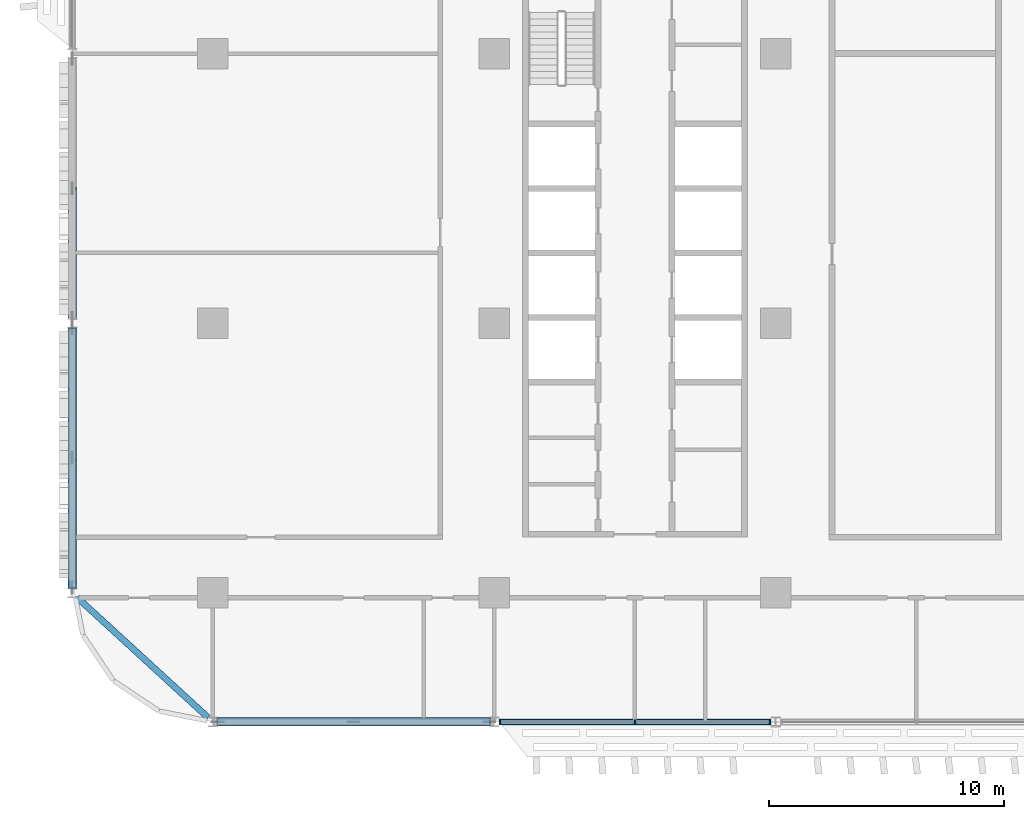
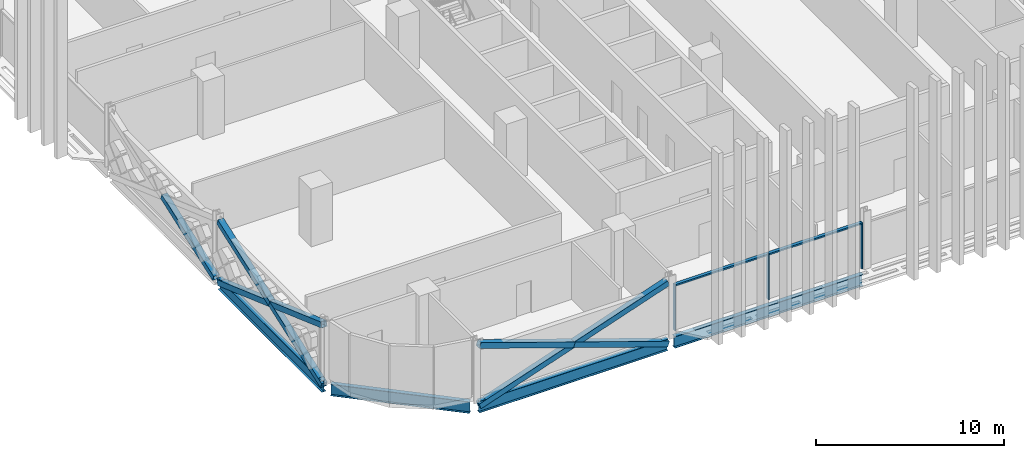
# One storey, part 3 of 32: 12 members, 4 beams, 1 element without a shape of its own.
"""IFC4 building model written with IfcOpenShell, lengths in metres."""

from ifc_helpers import new_model, si_unit, direction, frame, origin, origin_2d, place, context, subcontext, project, spatial, rectangle, hollow_rectangle, i_section, extrude, material, material_profile, profile_set, type_object, element, aggregate, save


model = new_model("IFC4")

# Units and contexts
model_context = context("Model", 3, precision=1e-05, world=origin(), true_north=direction((0.0, 1.0)))
body_context = subcontext(model_context, "Body", "Model", "MODEL_VIEW")
ifc_project = project(units=[si_unit("LENGTHUNIT", "METRE"), si_unit("AREAUNIT", "SQUARE_METRE"), si_unit("VOLUMEUNIT", "CUBIC_METRE"), si_unit("PLANEANGLEUNIT", "RADIAN"), si_unit("MASSUNIT", "GRAM", prefix="KILO")], contexts=[model_context])

# Site, building, storey
site_placement = place(None, origin())
site = spatial("IfcSite", under=ifc_project, at=site_placement, CompositionType="ELEMENT")
building_placement = place(site_placement, origin())
building = spatial("IfcBuilding", under=site, at=building_placement, Name="Mahtab Terrace Research Tower", CompositionType="ELEMENT")
storey_placement = place(building_placement, frame((0.0, 0.0, 138.39990234375)))
storey = spatial("IfcBuildingStorey", under=building, at=storey_placement, Name="L32", CompositionType="ELEMENT", Elevation=138.39990234375)

# Members
ifc_material_1 = material(Name="Steel ASTM A500 Gr C", Category="steel")
ifc_material_profile_1 = material_profile(ifc_material_1, hollow_rectangle(XDim=0.355712890625, YDim=0.355712890625, WallThickness=0.01904296875, at=origin_2d()), Name="HSS14X14X3/4")
ifc_profile_set_1 = profile_set([ifc_material_profile_1], Name="Steel ASTM A500 Gr C")
member_type_1 = type_object("IfcMemberType", Name="HSS 14x14x3/4 brace XB141434", PredefinedType="BRACE", material=ifc_profile_set_1)
member_1_placement = place(storey_placement, frame((-48.0, 0.217041015625, -0.640869140625), z_axis=(0.0, 0.941938280918, 0.335786055312), x_axis=(-1.0, 0.0, 0.0)))
element("IfcMember", 1, at=member_1_placement, inside=storey, type_object=member_type_1, Name="Exoskeleton brace L32 11 b1", PredefinedType="BRACE", context=body_context, shape_type="SweptSolid", body=[
    extrude(hollow_rectangle(XDim=0.355712890625, YDim=0.355712890625, WallThickness=0.01904296875, at=origin_2d()), origin(), (0.0, 0.0, 1.0), 5.8740234375),
])
member_2_placement = place(storey_placement, frame((-48.0, -0.217041015625, -0.640869140625), z_axis=(0.0, -0.941931707836, 0.335804493379), x_axis=(1.0, 0.0, 0.0)))
element("IfcMember", 2, at=member_2_placement, inside=storey, type_object=member_type_1, Name="Exoskeleton brace L32 12 a", PredefinedType="BRACE", context=body_context, shape_type="SweptSolid", body=[
    extrude(hollow_rectangle(XDim=0.355712890625, YDim=0.355712890625, WallThickness=0.01904296875, at=origin_2d()), origin(), (0.0, 0.0, 1.0), 11.748046875),
])
for number, where, z_axis, x_axis, name in (
    (3, (-48.0, -11.282958984375, -0.640869140625), (0.0, 0.941938280918, 0.335786055312), (-1.0, 0.0, 0.0), "Exoskeleton brace L32 12 b1"),
    (4, (-48.0, -5.75, 1.33154296875), (0.0, 0.941925134484, 0.335822931061), (-1.0, 0.0, 0.0), "Exoskeleton brace L32 12 b2"),
):
    element("IfcMember", number, at=place(storey_placement, frame(where, z_axis=z_axis, x_axis=x_axis)), inside=storey, type_object=member_type_1, Name=name, PredefinedType="BRACE", context=body_context, shape_type="SweptSolid", body=[
        extrude(hollow_rectangle(XDim=0.355712890625, YDim=0.355712890625, WallThickness=0.01904296875, at=origin_2d()), origin(), (0.0, 0.0, 1.0), 5.8740234375),
    ])
member_3_placement = place(storey_placement, frame((-41.794189453125, -17.0, -0.64794921875), z_axis=(0.946294377485, 0.0, 0.323306280699), x_axis=(0.0, 1.0, 0.0)))
element("IfcMember", 5, at=member_3_placement, inside=storey, type_object=member_type_1, Name="Exoskeleton brace L32 14 a", PredefinedType="BRACE", context=body_context, shape_type="SweptSolid", body=[
    extrude(hollow_rectangle(XDim=0.355712890625, YDim=0.355712890625, WallThickness=0.01904296875, at=origin_2d()), origin(), (0.0, 0.0, 1.0), 12.24609375),
])
for number, where, z_axis, x_axis, name in (
    (6, (-30.205810546875, -17.0, -0.64794921875), (-0.946300476713, 0.0, 0.323288428146), (0.0, -1.0, 0.0), "Exoskeleton brace L32 14 b1"),
    (7, (-36.0, -17.0, 1.33154296875), (-0.946288278, 0.0, 0.323324132908), (0.0, -1.0, 0.0), "Exoskeleton brace L32 14 b2"),
):
    element("IfcMember", number, at=place(storey_placement, frame(where, z_axis=z_axis, x_axis=x_axis)), inside=storey, type_object=member_type_1, Name=name, PredefinedType="BRACE", context=body_context, shape_type="SweptSolid", body=[
        extrude(hollow_rectangle(XDim=0.355712890625, YDim=0.355712890625, WallThickness=0.01904296875, at=origin_2d()), origin(), (0.0, 0.0, 1.0), 6.123046875),
    ])

# Curtain wall, members
ifc_material_2 = material(Name="Laboratory ribbon curtain wall")
curtain_wall_type = type_object("IfcCurtainWallType", Name="Laboratory ribbon curtain wall", PredefinedType="NOTDEFINED", material=ifc_material_2)
curtain_wall_placement = place(storey_placement, origin())
curtain_wall = element("IfcCurtainWall", 8, at=curtain_wall_placement, inside=storey, type_object=curtain_wall_type, Name="EN.L32.13.25", PredefinedType="NOTDEFINED")
ifc_material_3 = material(Name="Natural anodised aluminium", Category="aluminium")
ifc_material_profile_2 = material_profile(ifc_material_3, rectangle(XDim=0.199951171875, YDim=0.06494140625, at=origin_2d()), Name="MULLION 65x200")
ifc_profile_set_2 = profile_set([ifc_material_profile_2], Name="Natural anodised aluminium")
member_type_2 = type_object("IfcMemberType", Name="Laboratory ribbon curtain wall mullion", PredefinedType="MULLION", material=ifc_profile_set_2)
member_4_placement = place(storey_placement, frame((-29.74951171875, -17.0, 0.0), z_axis=(0.0, 0.0, 1.0), x_axis=(0.0, 1.0, 0.0)))
member_4 = element("IfcMember", 9, at=member_4_placement, type_object=member_type_2, Name="CWL-4 mullion 1", PredefinedType="MULLION", context=body_context, shape_type="SweptSolid", body=[
    extrude(rectangle(XDim=0.199951171875, YDim=0.06494140625, at=origin_2d()), origin(), (0.0, 0.0, 1.0), 3.003173828125),
])
member_5_placement = place(storey_placement, frame((-24.0, -17.0, 0.0), z_axis=(0.0, 0.0, 1.0), x_axis=(0.0, 1.0, 0.0)))
member_5 = element("IfcMember", 10, at=member_5_placement, type_object=member_type_2, Name="CWL-4 mullion 2", PredefinedType="MULLION", context=body_context, shape_type="SweptSolid", body=[
    extrude(rectangle(XDim=0.199951171875, YDim=0.06494140625, at=origin_2d()), origin(), (0.0, 0.0, 1.0), 3.003173828125),
])
member_6_placement = place(storey_placement, frame((-18.25048828125, -17.0, 0.0), z_axis=(0.0, 0.0, 1.0), x_axis=(0.0, 1.0, 0.0)))
member_6 = element("IfcMember", 11, at=member_6_placement, type_object=member_type_2, Name="CWL-4 mullion 3", PredefinedType="MULLION", context=body_context, shape_type="SweptSolid", body=[
    extrude(rectangle(XDim=0.199951171875, YDim=0.06494140625, at=origin_2d()), origin(), (0.0, 0.0, 1.0), 3.003173828125),
])
ifc_material_profile_3 = material_profile(ifc_material_3, rectangle(XDim=0.199951171875, YDim=0.10009765625, at=origin_2d()), Name="TRANSOM 100x200")
ifc_profile_set_3 = profile_set([ifc_material_profile_3], Name="Natural anodised aluminium")
member_type_3 = type_object("IfcMemberType", Name="Laboratory ribbon curtain wall transom", PredefinedType="USERDEFINED", material=ifc_profile_set_3)
member_7_placement = place(storey_placement, frame((-29.717041015625, -17.0, 2.953125), z_axis=(1.0, 0.0, 0.0), x_axis=(0.0, 1.0, 0.0)))
member_7 = element("IfcMember", 12, at=member_7_placement, type_object=member_type_3, Name="CWL-4 transom 1", ObjectType="TRANSOM", PredefinedType="USERDEFINED", context=body_context, shape_type="SweptSolid", body=[
    extrude(rectangle(XDim=0.199951171875, YDim=0.10009765625, at=origin_2d()), origin(), (0.0, 0.0, 1.0), 5.6845703125),
])
member_8_placement = place(storey_placement, frame((-23.967529296875, -17.0, 2.953125), z_axis=(1.0, 0.0, 0.0), x_axis=(0.0, 1.0, 0.0)))
member_8 = element("IfcMember", 13, at=member_8_placement, type_object=member_type_3, Name="CWL-4 transom 2", ObjectType="TRANSOM", PredefinedType="USERDEFINED", context=body_context, shape_type="SweptSolid", body=[
    extrude(rectangle(XDim=0.199951171875, YDim=0.10009765625, at=origin_2d()), origin(), (0.0, 0.0, 1.0), 5.6845703125),
])
aggregate(curtain_wall, [member_4, member_5, member_6, member_7, member_8])

# Beams
ifc_material_4 = material(Name="Steel ASTM A992 Gr 50", Category="steel")
ifc_material_profile_4 = material_profile(ifc_material_4, i_section(OverallWidth=0.2666015625, OverallDepth=0.7568359375, WebThickness=0.013916015625, FlangeThickness=0.019287109375, at=origin_2d()), Name="W30X108")
ifc_profile_set_4 = profile_set([ifc_material_profile_4], Name="Steel ASTM A992 Gr 50")
beam_type = type_object("IfcBeamType", Name="W30x108 beam BS30108", PredefinedType="BEAM", material=ifc_profile_set_4)
beam_1_placement = place(storey_placement, frame((-48.0, -0.217041015625, -0.71826171875), z_axis=(0.0, -1.0, 0.0), x_axis=(1.0, 0.0, 0.0)))
element("IfcBeam", 14, at=beam_1_placement, inside=storey, type_object=beam_type, Name="Spandrel beam L32 12", PredefinedType="BEAM", context=body_context, shape_type="SweptSolid", body=[
    extrude(i_section(OverallWidth=0.2666015625, OverallDepth=0.7568359375, WebThickness=0.013916015625, FlangeThickness=0.019287109375, at=origin_2d()), origin(), (0.0, 0.0, 1.0), 11.06591796875),
])
beam_2_placement = place(storey_placement, frame((-47.794189453125, -11.688720703125, -0.71826171875), z_axis=(0.737162160905, -0.675715878554, 0.0), x_axis=(0.675715878554, 0.737162160905, 0.0)))
element("IfcBeam", 15, at=beam_2_placement, inside=storey, type_object=beam_type, Name="Spandrel beam L32 13", PredefinedType="BEAM", context=body_context, shape_type="SweptSolid", body=[
    extrude(i_section(OverallWidth=0.2666015625, OverallDepth=0.7568359375, WebThickness=0.013916015625, FlangeThickness=0.019287109375, at=origin_2d()), origin(), (0.0, 0.0, 1.0), 7.5810546875),
])
for number, where, z_axis, x_axis, name in (
    (16, (-41.794189453125, -17.0, -0.71826171875), (1.0, 0.0, 0.0), (0.0, 1.0, 0.0), "Spandrel beam L32 14"),
    (17, (-29.794189453125, -17.0, -0.71826171875), (1.0, 0.0, 0.0), (0.0, 1.0, 0.0), "Spandrel beam L32 15"),
):
    element("IfcBeam", number, at=place(storey_placement, frame(where, z_axis=z_axis, x_axis=x_axis)), inside=storey, type_object=beam_type, Name=name, PredefinedType="BEAM", context=body_context, shape_type="SweptSolid", body=[
        extrude(i_section(OverallWidth=0.2666015625, OverallDepth=0.7568359375, WebThickness=0.013916015625, FlangeThickness=0.019287109375, at=origin_2d()), origin(), (0.0, 0.0, 1.0), 11.58837890625),
    ])

save(model, "model.ifc")
